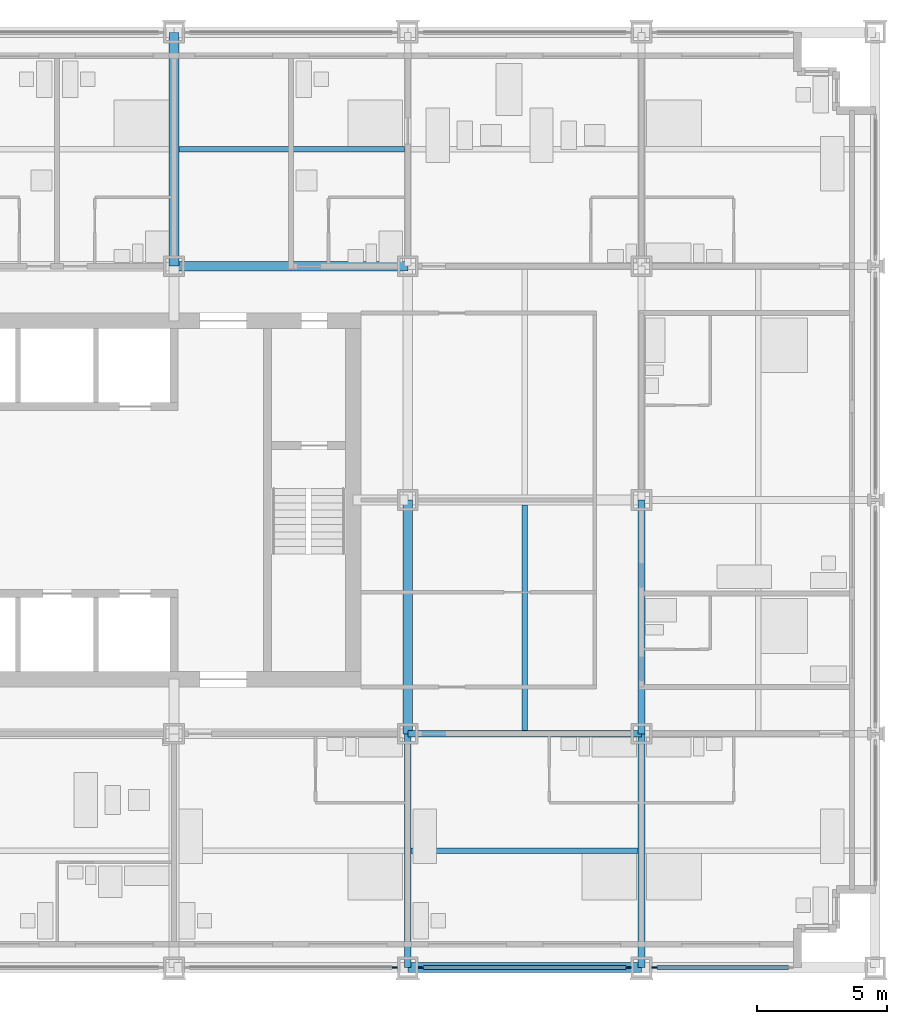
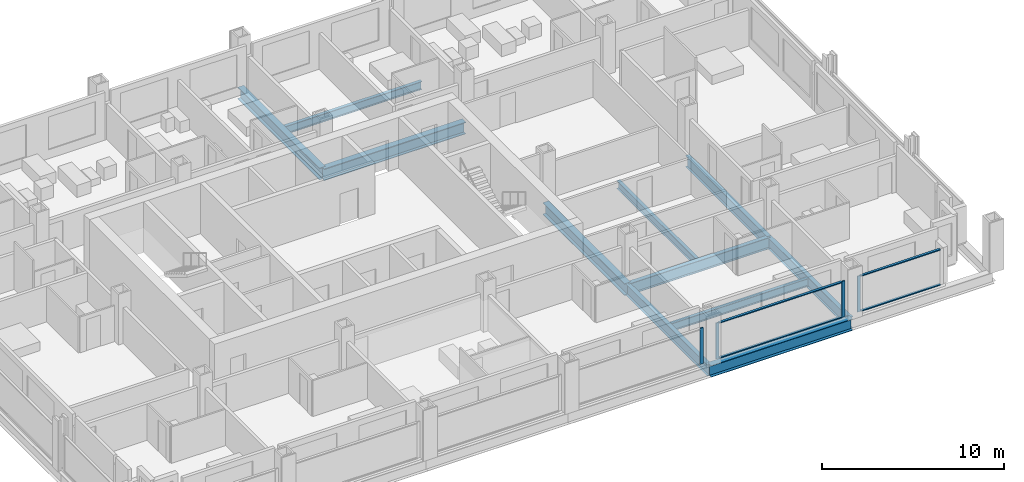
# One storey, part 5 of 18: 11 beams, 8 members, 3 elements without a shape of their own.
"""IFC4 building model written with IfcOpenShell, lengths in metres."""

from ifc_helpers import new_model, si_unit, direction, frame, origin, origin_2d, place, context, subcontext, project, spatial, rectangle, i_section, extrude, material, material_profile, profile_set, type_object, element, aggregate, save


model = new_model("IFC4")

# Units and contexts
model_context = context("Model", 3, precision=1e-05, world=origin(), true_north=direction((0.0, 1.0)))
body_context = subcontext(model_context, "Body", "Model", "MODEL_VIEW")
ifc_project = project(units=[si_unit("LENGTHUNIT", "METRE"), si_unit("AREAUNIT", "SQUARE_METRE"), si_unit("VOLUMEUNIT", "CUBIC_METRE"), si_unit("PLANEANGLEUNIT", "RADIAN"), si_unit("MASSUNIT", "GRAM", prefix="KILO")], contexts=[model_context])

# Site, building, storey
site_placement = place(None, origin())
site = spatial("IfcSite", under=ifc_project, at=site_placement, CompositionType="ELEMENT")
building_placement = place(site_placement, origin())
building = spatial("IfcBuilding", under=site, at=building_placement, Name="Loomwork Tower", CompositionType="ELEMENT")
storey_placement = place(building_placement, frame((0.0, 0.0, 45.0)))
storey = spatial("IfcBuildingStorey", under=building, at=storey_placement, Name="L10", CompositionType="ELEMENT", Elevation=45.0)

# Beams
ifc_material_1 = material(Name="Steel ASTM A992", Category="steel")
ifc_material_profile_1 = material_profile(ifc_material_1, i_section(OverallWidth=0.383544921875, OverallDepth=0.794921875, WebThickness=0.02099609375, FlangeThickness=0.0380859375, at=origin_2d()), Name="W30x235")
ifc_profile_set_1 = profile_set([ifc_material_profile_1], Name="Steel ASTM A992")
beam_type_1 = type_object("IfcBeamType", Name="CORE FLANK GIRDER W30x235", PredefinedType="BEAM", material=ifc_profile_set_1)
for number, where, z_axis, x_axis, name in (
    (1, (27.0, 27.0, -0.597412109375), (1.0, 0.0, 0.0), (0.0, 1.0, 0.0), "Core Flank Girder G/5-G/6 L10"),
    (2, (27.0, 27.0, -0.597412109375), (0.0, 1.0, 0.0), (-1.0, 0.0, 0.0), "Core Flank Girder G/5-H/5 L10"),
    (3, (36.0, 9.0, -0.597412109375), (0.0, 1.0, 0.0), (-1.0, 0.0, 0.0), "Core Flank Girder E/6-F/6 L10"),
):
    element("IfcBeam", number, at=place(storey_placement, frame(where, z_axis=z_axis, x_axis=x_axis)), inside=storey, type_object=beam_type_1, Name=name, PredefinedType="BEAM", context=body_context, shape_type="SweptSolid", body=[
        extrude(i_section(OverallWidth=0.383544921875, OverallDepth=0.794921875, WebThickness=0.02099609375, FlangeThickness=0.0380859375, at=origin_2d()), origin(), (0.0, 0.0, 1.0), 9.0),
    ])
ifc_material_2 = material(Name="Steel ASTM A992", Category="steel")
ifc_material_profile_2 = material_profile(ifc_material_2, i_section(OverallWidth=0.2666015625, OverallDepth=0.761962890625, WebThickness=0.014404296875, FlangeThickness=0.021484375, at=origin_2d()), Name="W30x116")
ifc_profile_set_2 = profile_set([ifc_material_profile_2], Name="Steel ASTM A992")
beam_type_2 = type_object("IfcBeamType", Name="FLOOR GIRDER W30x116", PredefinedType="BEAM", material=ifc_profile_set_2)
for number, where, z_axis, x_axis, name in (
    (4, (36.0, 9.0, -0.5810546875), (1.0, 0.0, 0.0), (0.0, 1.0, 0.0), "Floor Girder E/6-E/7 L10"),
    (5, (36.0, 0.0, -0.5810546875), (0.0, 1.0, 0.0), (-1.0, 0.0, 0.0), "Floor Girder D/6-E/6 L10"),
    (6, (45.0, 0.0, -0.5810546875), (0.0, 1.0, 0.0), (-1.0, 0.0, 0.0), "Floor Girder D/7-E/7 L10"),
    (7, (45.0, 9.0, -0.5810546875), (0.0, 1.0, 0.0), (-1.0, 0.0, 0.0), "Floor Girder E/7-F/7 L10"),
):
    element("IfcBeam", number, at=place(storey_placement, frame(where, z_axis=z_axis, x_axis=x_axis)), inside=storey, type_object=beam_type_2, Name=name, PredefinedType="BEAM", context=body_context, shape_type="SweptSolid", body=[
        extrude(i_section(OverallWidth=0.2666015625, OverallDepth=0.761962890625, WebThickness=0.014404296875, FlangeThickness=0.021484375, at=origin_2d()), origin(), (0.0, 0.0, 1.0), 9.0),
    ])
ifc_material_3 = material(Name="Steel ASTM A992", Category="steel")
ifc_material_profile_3 = material_profile(ifc_material_3, i_section(OverallWidth=0.2109375, OverallDepth=0.53857421875, WebThickness=0.011474609375, FlangeThickness=0.018798828125, at=origin_2d()), Name="W21x73")
ifc_profile_set_3 = profile_set([ifc_material_profile_3], Name="Steel ASTM A992")
beam_type_3 = type_object("IfcBeamType", Name="FLOOR JOIST W21x73", PredefinedType="JOIST", material=ifc_profile_set_3)
beam_1_placement = place(storey_placement, frame((27.19091796875, 31.5, -0.46923828125), z_axis=(1.0, 0.0, 0.0), x_axis=(0.0, 1.0, 0.0)))
element("IfcBeam", 8, at=beam_1_placement, inside=storey, type_object=beam_type_3, Name="Floor Joist 27.000,31.500-36.000,31.500 L10", PredefinedType="JOIST", context=body_context, shape_type="SweptSolid", body=[
    extrude(i_section(OverallWidth=0.2109375, OverallDepth=0.53857421875, WebThickness=0.011474609375, FlangeThickness=0.018798828125, at=origin_2d()), origin(), (0.0, 0.0, 1.0), 8.676025390625),
])
beam_2_placement = place(storey_placement, frame((36.133056640625, 4.5, -0.46923828125), z_axis=(1.0, 0.0, 0.0), x_axis=(0.0, 1.0, 0.0)))
element("IfcBeam", 9, at=beam_2_placement, inside=storey, type_object=beam_type_3, Name="Floor Joist 36.000,4.500-45.000,4.500 L10", PredefinedType="JOIST", context=body_context, shape_type="SweptSolid", body=[
    extrude(i_section(OverallWidth=0.2109375, OverallDepth=0.53857421875, WebThickness=0.011474609375, FlangeThickness=0.018798828125, at=origin_2d()), origin(), (0.0, 0.0, 1.0), 8.73388671875),
])
beam_3_placement = place(storey_placement, frame((40.5, 9.133056640625, -0.46923828125), z_axis=(0.0, 1.0, 0.0), x_axis=(-1.0, 0.0, 0.0)))
element("IfcBeam", 10, at=beam_3_placement, inside=storey, type_object=beam_type_3, Name="Floor Joist 40.500,9.000-40.500,18.000 L10", PredefinedType="JOIST", context=body_context, shape_type="SweptSolid", body=[
    extrude(i_section(OverallWidth=0.2109375, OverallDepth=0.53857421875, WebThickness=0.011474609375, FlangeThickness=0.018798828125, at=origin_2d()), origin(), (0.0, 0.0, 1.0), 8.676025390625),
])

# Curtain wall, member
ifc_material_4 = material(Name="Aluminium curtain wall frame", Category="aluminium")
curtain_wall_type = type_object("IfcCurtainWallType", Name="Outer skin glazing hotel", PredefinedType="NOTDEFINED", material=ifc_material_4)
curtain_wall_1_placement = place(storey_placement, origin())
curtain_wall_1 = element("IfcCurtainWall", 11, at=curtain_wall_1_placement, inside=storey, type_object=curtain_wall_type, Name="Outer skin glazing hotel cw/S-27", PredefinedType="NOTDEFINED")
ifc_material_5 = material(Name="Aluminium curtain wall frame", Category="aluminium")
ifc_material_profile_4 = material_profile(ifc_material_5, rectangle(XDim=0.06494140625, YDim=0.199951171875, at=origin_2d()), Name="AL 65x200")
ifc_profile_set_4 = profile_set([ifc_material_profile_4], Name="Aluminium curtain wall frame")
member_type_1 = type_object("IfcMemberType", Name="Outer skin glazing hotel mullion", PredefinedType="MULLION", material=ifc_profile_set_4)
member_1_placement = place(storey_placement, frame((35.5, 0.0, 0.0), z_axis=(0.0, 0.0, 1.0), x_axis=(0.0, 1.0, 0.0)))
member_1 = element("IfcMember", 12, at=member_1_placement, type_object=member_type_1, Name="CW1 mullion 2", PredefinedType="MULLION", context=body_context, shape_type="SweptSolid", body=[
    extrude(rectangle(XDim=0.06494140625, YDim=0.199951171875, at=origin_2d()), origin(), (0.0, 0.0, 1.0), 2.420166015625),
])
aggregate(curtain_wall_1, [member_1])

# Curtain wall, members
curtain_wall_2_placement = place(storey_placement, origin())
curtain_wall_2 = element("IfcCurtainWall", 13, at=curtain_wall_2_placement, inside=storey, type_object=curtain_wall_type, Name="Outer skin glazing hotel cw/S-36", PredefinedType="NOTDEFINED")
member_2_placement = place(storey_placement, frame((36.5, 0.0, 0.0), z_axis=(0.0, 0.0, 1.0), x_axis=(0.0, 1.0, 0.0)))
member_2 = element("IfcMember", 14, at=member_2_placement, type_object=member_type_1, Name="CW1 mullion 1", PredefinedType="MULLION", context=body_context, shape_type="SweptSolid", body=[
    extrude(rectangle(XDim=0.06494140625, YDim=0.199951171875, at=origin_2d()), origin(), (0.0, 0.0, 1.0), 2.420166015625),
])
member_3_placement = place(storey_placement, frame((44.5, 0.0, 0.0), z_axis=(0.0, 0.0, 1.0), x_axis=(0.0, 1.0, 0.0)))
member_3 = element("IfcMember", 15, at=member_3_placement, type_object=member_type_1, Name="CW1 mullion 2", PredefinedType="MULLION", context=body_context, shape_type="SweptSolid", body=[
    extrude(rectangle(XDim=0.06494140625, YDim=0.199951171875, at=origin_2d()), origin(), (0.0, 0.0, 1.0), 2.420166015625),
])

# Curtain wall, member
curtain_wall_3_placement = place(storey_placement, origin())
curtain_wall_3 = element("IfcCurtainWall", 16, at=curtain_wall_3_placement, inside=storey, type_object=curtain_wall_type, Name="Outer skin glazing hotel cw/S-45", PredefinedType="NOTDEFINED")
member_4_placement = place(storey_placement, frame((45.5, 0.0, 0.0), z_axis=(0.0, 0.0, 1.0), x_axis=(0.0, 1.0, 0.0)))
member_4 = element("IfcMember", 17, at=member_4_placement, type_object=member_type_1, Name="CW1 mullion 1", PredefinedType="MULLION", context=body_context, shape_type="SweptSolid", body=[
    extrude(rectangle(XDim=0.06494140625, YDim=0.199951171875, at=origin_2d()), origin(), (0.0, 0.0, 1.0), 2.420166015625),
])

# Member
ifc_material_6 = material(Name="Aluminium curtain wall frame", Category="aluminium")
ifc_material_profile_5 = material_profile(ifc_material_6, rectangle(XDim=0.14990234375, YDim=0.06494140625, at=origin_2d()), Name="AL 65x150")
ifc_profile_set_5 = profile_set([ifc_material_profile_5], Name="Aluminium curtain wall frame")
member_type_2 = type_object("IfcMemberType", Name="Outer skin glazing hotel transom", PredefinedType="USERDEFINED", material=ifc_profile_set_5)
member_5_placement = place(storey_placement, frame((36.60009765625, 0.0, 0.032470703125), z_axis=(1.0, 0.0, 0.0), x_axis=(0.0, 1.0, 0.0)))
member_5 = element("IfcMember", 18, at=member_5_placement, type_object=member_type_2, Name="CW1 transom 1.1", ObjectType="TRANSOM", PredefinedType="USERDEFINED", context=body_context, shape_type="SweptSolid", body=[
    extrude(rectangle(XDim=0.14990234375, YDim=0.06494140625, at=origin_2d()), origin(), (0.0, 0.0, 1.0), 7.7998046875),
])

member_6_placement = place(storey_placement, frame((36.60009765625, 0.0, 2.3876953125), z_axis=(1.0, 0.0, 0.0), x_axis=(0.0, 1.0, 0.0)))
member_6 = element("IfcMember", 19, at=member_6_placement, type_object=member_type_2, Name="CW1 transom 1.2", ObjectType="TRANSOM", PredefinedType="USERDEFINED", context=body_context, shape_type="SweptSolid", body=[
    extrude(rectangle(XDim=0.14990234375, YDim=0.06494140625, at=origin_2d()), origin(), (0.0, 0.0, 1.0), 7.7998046875),
])

aggregate(curtain_wall_2, [member_2, member_3, member_5, member_6])

member_7_placement = place(storey_placement, frame((45.60009765625, 0.0, 0.032470703125), z_axis=(1.0, 0.0, 0.0), x_axis=(0.0, 1.0, 0.0)))
member_7 = element("IfcMember", 20, at=member_7_placement, type_object=member_type_2, Name="CW1 transom 1.1", ObjectType="TRANSOM", PredefinedType="USERDEFINED", context=body_context, shape_type="SweptSolid", body=[
    extrude(rectangle(XDim=0.14990234375, YDim=0.06494140625, at=origin_2d()), origin(), (0.0, 0.0, 1.0), 5.0498046875),
])

member_8_placement = place(storey_placement, frame((45.60009765625, 0.0, 2.3876953125), z_axis=(1.0, 0.0, 0.0), x_axis=(0.0, 1.0, 0.0)))
member_8 = element("IfcMember", 21, at=member_8_placement, type_object=member_type_2, Name="CW1 transom 1.2", ObjectType="TRANSOM", PredefinedType="USERDEFINED", context=body_context, shape_type="SweptSolid", body=[
    extrude(rectangle(XDim=0.14990234375, YDim=0.06494140625, at=origin_2d()), origin(), (0.0, 0.0, 1.0), 5.0498046875),
])

aggregate(curtain_wall_3, [member_4, member_7, member_8])

# Beam
ifc_material_7 = material(Name="Steel ASTM A992", Category="steel")
ifc_material_profile_6 = material_profile(ifc_material_7, i_section(OverallWidth=0.381103515625, OverallDepth=0.77978515625, WebThickness=0.01806640625, FlangeThickness=0.0302734375, at=origin_2d()), Name="W30x191")
ifc_profile_set_6 = profile_set([ifc_material_profile_6], Name="Steel ASTM A992")
beam_type_4 = type_object("IfcBeamType", Name="SPANDREL GIRDER W30x191", PredefinedType="SPANDREL", material=ifc_profile_set_6)
beam_4_placement = place(storey_placement, frame((36.0, 0.0, -0.58984375), z_axis=(1.0, 0.0, 0.0), x_axis=(0.0, 1.0, 0.0)))
element("IfcBeam", 22, at=beam_4_placement, inside=storey, type_object=beam_type_4, Name="Spandrel Girder D/6-D/7 L10", PredefinedType="SPANDREL", context=body_context, shape_type="SweptSolid", body=[
    extrude(i_section(OverallWidth=0.381103515625, OverallDepth=0.77978515625, WebThickness=0.01806640625, FlangeThickness=0.0302734375, at=origin_2d()), origin(), (0.0, 0.0, 1.0), 9.0),
])

save(model, "model.ifc")
